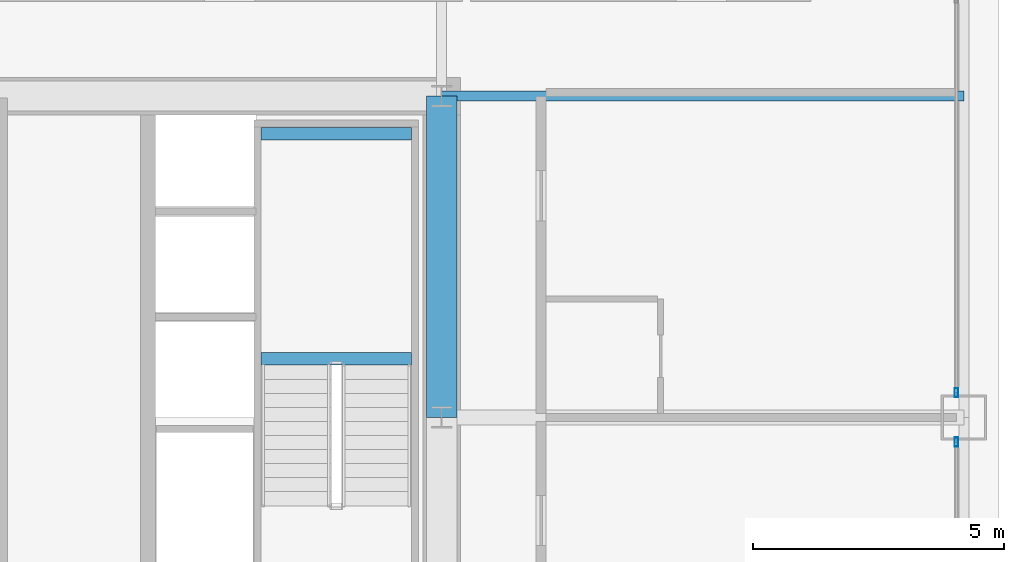
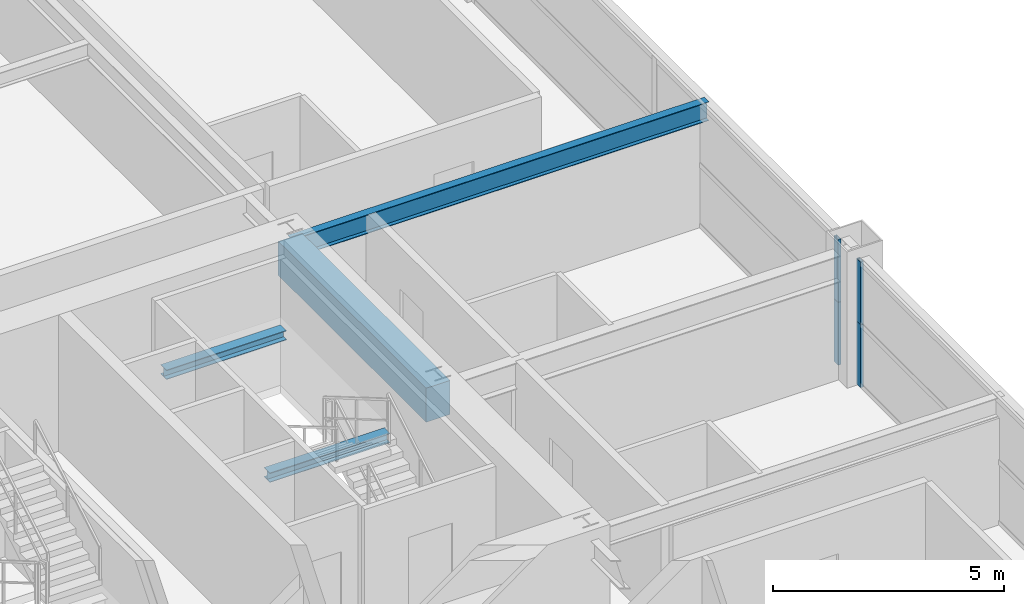
# One storey, part 19 of 38: 4 beams, 4 members, 2 elements without a shape of their own.
"""IFC4 building model written with IfcOpenShell, lengths in metres."""

from ifc_helpers import new_model, si_unit, direction, frame, origin, origin_2d, place, context, subcontext, project, spatial, rectangle, hollow_rectangle, i_section, extrude, source, transform, mapped, material, layer, layer_set, material_profile, profile_set, type_object, element, aggregate, save


model = new_model("IFC4")

# Units and contexts
model_context = context("Model", 3, precision=1e-05, world=origin(), true_north=direction((0.0, 1.0)))
body_context = subcontext(model_context, "Body", "Model", "MODEL_VIEW")
ifc_project = project(units=[si_unit("LENGTHUNIT", "METRE"), si_unit("AREAUNIT", "SQUARE_METRE"), si_unit("VOLUMEUNIT", "CUBIC_METRE"), si_unit("PLANEANGLEUNIT", "RADIAN"), si_unit("MASSUNIT", "GRAM", prefix="KILO"), si_unit("THERMODYNAMICTEMPERATUREUNIT", "KELVIN"), si_unit("POWERUNIT", "WATT")], contexts=[model_context])

# Site, building, storey
site_placement = place(None, origin())
site = spatial("IfcSite", under=ifc_project, at=site_placement, CompositionType="ELEMENT")
building_placement = place(site_placement, origin())
building = spatial("IfcBuilding", under=site, at=building_placement, Name="Yuzanri Waterfront Tower", CompositionType="ELEMENT")
storey_placement = place(building_placement, frame((0.0, 0.0, 126.199951171875)))
storey = spatial("IfcBuildingStorey", under=building, at=storey_placement, Name="L33", CompositionType="ELEMENT", Elevation=126.199951171875)

# Beams
ifc_material_1 = material(Name="Concrete C60", Category="concrete")
ifc_material_profile_1 = material_profile(ifc_material_1, rectangle(XDim=0.60009765625, YDim=0.89990234375, at=origin_2d()), Name="RC 600x900")
ifc_profile_set_1 = profile_set([ifc_material_profile_1], Name="Concrete C60")
beam_type_1 = type_object("IfcBeamType", Name="Core Coupling Lintel Concrete C60 600x900", PredefinedType="LINTEL", material=ifc_profile_set_1)
shared_shape_1 = source(origin(), body_context, "Body", "SweptSolid", [
    extrude(rectangle(XDim=0.60009765625, YDim=0.89990234375, at=origin_2d()), origin(), (0.0, 0.0, 1.0), 6.39990234375),
])
beam_1_placement = place(storey_placement, frame((50.199951171875, 25.800048828125, 2.8701171875), z_axis=(0.0, 1.0, 0.0), x_axis=(-1.0, 0.0, 0.0)))
element("IfcBeam", 1, at=beam_1_placement, inside=storey, type_object=beam_type_1, Name="L33 Core Tie Beam CE2", PredefinedType="LINTEL", context=body_context, shape_type="MappedRepresentation", body=[
    mapped(shared_shape_1, transform((0.0, 0.0, 0.0), scale=1.0)),
])
ifc_material_2 = material(Name="Steel Q355B", Category="steel")
ifc_material_profile_2 = material_profile(ifc_material_2, i_section(OverallWidth=0.199951171875, OverallDepth=0.5, WebThickness=0.010009765625, FlangeThickness=0.01611328125, at=origin_2d()), Name="HN 500x200x10x16")
ifc_profile_set_2 = profile_set([ifc_material_profile_2], Name="Steel Q355B")
beam_type_2 = type_object("IfcBeamType", Name="Secondary Floor Beam Q355B HN 500x200", PredefinedType="BEAM", material=ifc_profile_set_2)
shared_shape_2 = source(origin(), body_context, "Body", "SweptSolid", [
    extrude(i_section(OverallWidth=0.199951171875, OverallDepth=0.5, WebThickness=0.010009765625, FlangeThickness=0.01611328125, at=origin_2d()), origin(), (0.0, 0.0, 1.0), 10.400146484375),
])
beam_2_placement = place(storey_placement, frame((50.199951171875, 32.199951171875, 3.070068359375), z_axis=(1.0, 0.0, 0.0), x_axis=(0.0, 1.0, 0.0)))
element("IfcBeam", 2, at=beam_2_placement, inside=storey, type_object=beam_type_2, Name="L33 East-North Core Line Beam", PredefinedType="BEAM", context=body_context, shape_type="MappedRepresentation", body=[
    mapped(shared_shape_2, transform((0.0, 0.0, 0.0), scale=1.0)),
])

# Curtain wall, members
ifc_material_3 = material(Name="Anodized Architectural Bronze", Category="metal")
ifc_layer = layer(ifc_material_3, 0.159912109375)
ifc_layer_set = layer_set([ifc_layer], Name="Anodized Architectural Bronze")
curtain_wall_type = type_object("IfcCurtainWallType", Name="Anodized Bronze Hotel Upper-Tier Solar-Control Unitized Curtain Wall 7800", PredefinedType="NOTDEFINED", material=ifc_layer_set)
curtain_wall_1_placement = place(storey_placement, origin())
curtain_wall_1 = element("IfcCurtainWall", 3, at=curtain_wall_1_placement, inside=storey, type_object=curtain_wall_type, Name="L33 Curtain Wall CW-L33-EL", PredefinedType="NOTDEFINED")
ifc_material_4 = material(Name="Anodized Architectural Bronze", Category="metal")
ifc_material_profile_3 = material_profile(ifc_material_4, hollow_rectangle(XDim=0.070068359375, YDim=0.179931640625, WallThickness=0.00390625, at=origin_2d()), Name="CWM 70x180")
ifc_profile_set_3 = profile_set([ifc_material_profile_3], Name="Anodized Architectural Bronze")
member_type = type_object("IfcMemberType", Name="Anodized Bronze Standard Curtain-Wall Mullion 70x180", PredefinedType="MULLION", material=ifc_profile_set_3)
shared_shape_3 = source(origin(), body_context, "Body", "SweptSolid", [
    extrude(hollow_rectangle(XDim=0.070068359375, YDim=0.179931640625, WallThickness=0.00390625, at=origin_2d()), origin(), (0.0, 0.0, 1.0), 1.657958984375),
])
member_1_placement = place(storey_placement, frame((60.449951171875, 25.31005859375, 0.0), z_axis=(0.0, 0.0, 1.0), x_axis=(1.0, 0.0, 0.0)))
member_1 = element("IfcMember", 4, at=member_1_placement, type_object=member_type, Name="CW-L33-EL Lower Mullion 02", PredefinedType="MULLION", context=body_context, shape_type="MappedRepresentation", body=[
    mapped(shared_shape_3, transform((0.0, 0.0, 0.0), scale=1.0)),
])
member_2_placement = place(storey_placement, frame((60.449951171875, 25.31005859375, 1.662109375), z_axis=(0.0, 0.0, 1.0), x_axis=(1.0, 0.0, 0.0)))
member_2 = element("IfcMember", 5, at=member_2_placement, type_object=member_type, Name="CW-L33-EL Upper Mullion 02", PredefinedType="MULLION", context=body_context, shape_type="MappedRepresentation", body=[
    mapped(shared_shape_3, transform((0.0, 0.0, 0.0), scale=1.0)),
])
aggregate(curtain_wall_1, [member_1, member_2])

curtain_wall_2_placement = place(storey_placement, origin())
curtain_wall_2 = element("IfcCurtainWall", 6, at=curtain_wall_2_placement, inside=storey, type_object=curtain_wall_type, Name="L33 Curtain Wall CW-L33-ER", PredefinedType="NOTDEFINED")
member_3_placement = place(storey_placement, frame((60.449951171875, 26.2900390625, 0.0), z_axis=(0.0, 0.0, 1.0), x_axis=(1.0, 0.0, 0.0)))
member_3 = element("IfcMember", 7, at=member_3_placement, type_object=member_type, Name="CW-L33-ER Lower Mullion 00", PredefinedType="MULLION", context=body_context, shape_type="MappedRepresentation", body=[
    mapped(shared_shape_3, transform((0.0, 0.0, 0.0), scale=1.0)),
])
member_4_placement = place(storey_placement, frame((60.449951171875, 26.2900390625, 1.662109375), z_axis=(0.0, 0.0, 1.0), x_axis=(1.0, 0.0, 0.0)))
member_4 = element("IfcMember", 8, at=member_4_placement, type_object=member_type, Name="CW-L33-ER Upper Mullion 00", PredefinedType="MULLION", context=body_context, shape_type="MappedRepresentation", body=[
    mapped(shared_shape_3, transform((0.0, 0.0, 0.0), scale=1.0)),
])
aggregate(curtain_wall_2, [member_3, member_4])

# Beams
ifc_material_5 = material(Name="Steel Q355B", Category="steel")
ifc_material_profile_4 = material_profile(ifc_material_5, i_section(OverallWidth=0.25, OverallDepth=0.25, WebThickness=0.009033203125, FlangeThickness=0.013916015625, at=origin_2d()), Name="HW 250x250x9x14")
ifc_profile_set_4 = profile_set([ifc_material_profile_4], Name="Steel Q355B")
beam_type_3 = type_object("IfcBeamType", Name="Stair Landing Support Beam Q355B HW 250x250", PredefinedType="BEAM", material=ifc_profile_set_4)
shared_shape_4 = source(origin(), body_context, "Body", "SweptSolid", [
    extrude(i_section(OverallWidth=0.25, OverallDepth=0.25, WebThickness=0.009033203125, FlangeThickness=0.013916015625, at=origin_2d()), origin(), (0.0, 0.0, 1.0), 3.0),
])
for number, where, z_axis, x_axis, name in (
    (9, (46.60009765625, 26.969970703125, 1.47509765625), (1.0, 0.0, 0.0), (0.0, 1.0, 0.0), "L33 Stair Landing Support Beam ST-02-L33-L1-1"),
    (10, (46.60009765625, 31.449951171875, 1.47509765625), (1.0, 0.0, 0.0), (0.0, 1.0, 0.0), "L33 Stair Landing Support Beam ST-02-L33-L1-2"),
):
    element("IfcBeam", number, at=place(storey_placement, frame(where, z_axis=z_axis, x_axis=x_axis)), inside=storey, type_object=beam_type_3, Name=name, PredefinedType="BEAM", context=body_context, shape_type="MappedRepresentation", body=[
        mapped(shared_shape_4, transform((0.0, 0.0, 0.0), scale=1.0)),
    ])

save(model, "model.ifc")
